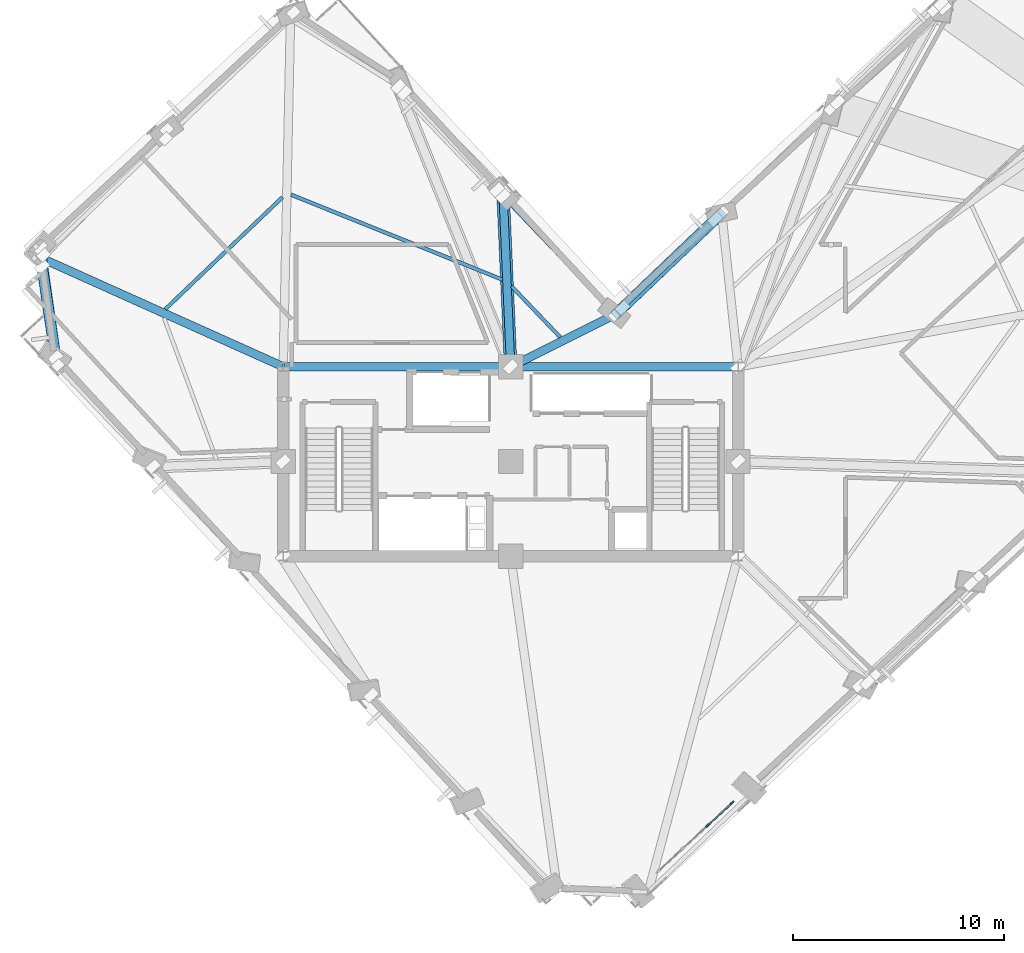
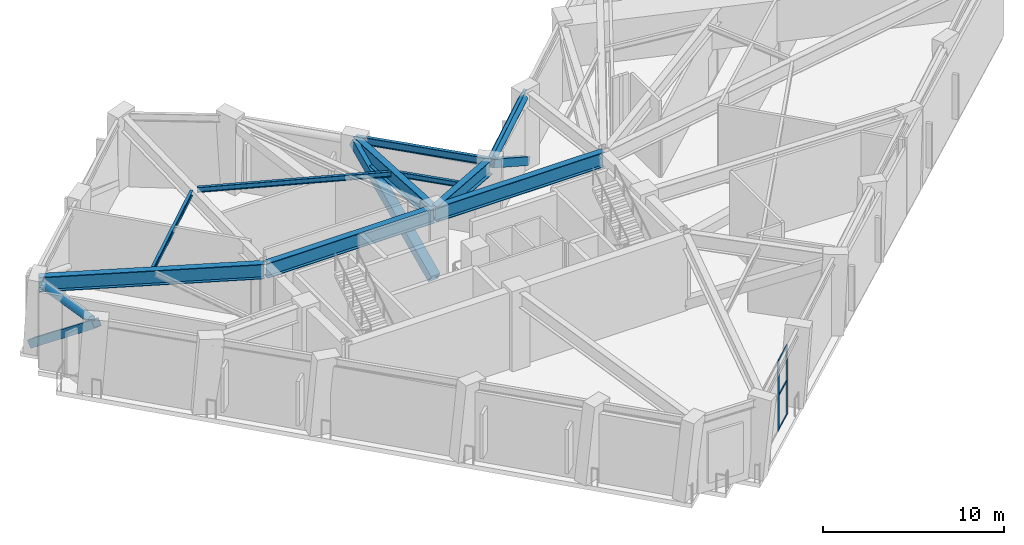
# One storey, part 3 of 15: 10 beams, 10 members, 1 element without a shape of its own.
"""IFC4 building model written with IfcOpenShell, lengths in metres."""

from ifc_helpers import new_model, si_unit, direction, frame, origin, origin_2d, place, context, subcontext, project, spatial, rectangle, hollow_rectangle, hollow_circle, i_section, extrude, material, material_profile, profile_set, type_object, element, aggregate, save


model = new_model("IFC4")

# Units and contexts
model_context = context("Model", 3, precision=1e-05, world=origin(), true_north=direction((0.0, 1.0)))
body_context = subcontext(model_context, "Body", "Model", "MODEL_VIEW")
ifc_project = project(units=[si_unit("LENGTHUNIT", "METRE"), si_unit("AREAUNIT", "SQUARE_METRE"), si_unit("VOLUMEUNIT", "CUBIC_METRE"), si_unit("PLANEANGLEUNIT", "RADIAN"), si_unit("MASSUNIT", "GRAM", prefix="KILO")], contexts=[model_context])

# Site, building, storey
site_placement = place(None, origin())
site = spatial("IfcSite", under=ifc_project, at=site_placement, CompositionType="ELEMENT")
building_placement = place(site_placement, origin())
building = spatial("IfcBuilding", under=site, at=building_placement, Name="Gaonmaruhae Medical Tower", CompositionType="ELEMENT")
storey_placement = place(building_placement, frame((0.0, 0.0, 205.800048828125)))
storey = spatial("IfcBuildingStorey", under=building, at=storey_placement, Name="L49", CompositionType="ELEMENT", Elevation=205.800048828125)

# Beams
ifc_material_1 = material(Name="Steel SM420", Category="steel")
ifc_material_profile_1 = material_profile(ifc_material_1, i_section(OverallWidth=0.39990234375, OverallDepth=1.0, WebThickness=0.02197265625, FlangeThickness=0.035888671875, at=origin_2d()), Name="BH-1000x400x22x36")
ifc_profile_set_1 = profile_set([ifc_material_profile_1], Name="Steel SM420")
beam_type_1 = type_object("IfcBeamType", Name="BG-02 Refuge Floor Primary Girder (BH-1000x400x22x36)", PredefinedType="BEAM", material=ifc_profile_set_1)
for number, where, z_axis, x_axis, name in (
    (1, (14.050048828125, 16.800048828125, 4.679931640625), (1.0, 0.0, 0.0), (0.0, 1.0, 0.0), "L49 Beam BM-L49-CG-N1"),
    (2, (24.85009765625, 16.800048828125, 4.679931640625), (1.0, 0.0, 0.0), (0.0, 1.0, 0.0), "L49 Beam BM-L49-CG-N2"),
):
    element("IfcBeam", number, at=place(storey_placement, frame(where, z_axis=z_axis, x_axis=x_axis)), inside=storey, type_object=beam_type_1, Name=name, PredefinedType="BEAM", context=body_context, shape_type="SweptSolid", body=[
        extrude(i_section(OverallWidth=0.39990234375, OverallDepth=1.0, WebThickness=0.02197265625, FlangeThickness=0.035888671875, at=origin_2d()), origin(), (0.0, 0.0, 1.0), 10.699951171875),
    ])
beam_1_placement = place(storey_placement, frame((24.8447265625, 16.822265625, 4.679931640625), z_axis=(0.894409392871, 0.447249189988, 0.0), x_axis=(-0.447249189988, 0.894409392871, 0.0)))
element("IfcBeam", 3, at=beam_1_placement, inside=storey, type_object=beam_type_1, Name="L49 Radial Primary Girder KN01", PredefinedType="BEAM", context=body_context, shape_type="SweptSolid", body=[
    extrude(i_section(OverallWidth=0.39990234375, OverallDepth=1.0, WebThickness=0.02197265625, FlangeThickness=0.035888671875, at=origin_2d()), origin(), (0.0, 0.0, 1.0), 5.487060546875),
])
beam_2_placement = place(storey_placement, frame((24.7978515625, 16.849853515625, 4.679931640625), z_axis=(-0.04404435374, 0.999029576591, 0.0), x_axis=(-0.999029576591, -0.04404435374, 0.0)))
element("IfcBeam", 4, at=beam_2_placement, inside=storey, type_object=beam_type_1, Name="L49 Radial Primary Girder NE01", PredefinedType="BEAM", context=body_context, shape_type="SweptSolid", body=[
    extrude(i_section(OverallWidth=0.39990234375, OverallDepth=1.0, WebThickness=0.02197265625, FlangeThickness=0.035888671875, at=origin_2d()), origin(), (0.0, 0.0, 1.0), 8.009765625),
])
beam_3_placement = place(storey_placement, frame((13.954345703125, 16.820556640625, 4.679931640625), z_axis=(-0.912268492792, 0.409592720956, 0.0), x_axis=(-0.409592720956, -0.912268492792, 0.0)))
element("IfcBeam", 5, at=beam_3_placement, inside=storey, type_object=beam_type_1, Name="L49 Radial Primary Girder N03", PredefinedType="BEAM", context=body_context, shape_type="SweptSolid", body=[
    extrude(i_section(OverallWidth=0.39990234375, OverallDepth=1.0, WebThickness=0.02197265625, FlangeThickness=0.035888671875, at=origin_2d()), origin(), (0.0, 0.0, 1.0), 12.521484375),
])

# Members
ifc_material_2 = material(Name="Steel HSA650 (650 MPa)", Category="steel")
ifc_material_profile_2 = material_profile(ifc_material_2, hollow_circle(Radius=0.25390625, WallThickness=0.01611328125, at=origin_2d()), Name="CHS-508.0x16.0")
ifc_profile_set_2 = profile_set([ifc_material_profile_2], Name="Steel HSA650 (650 MPa)")
member_type_1 = type_object("IfcMemberType", Name="BT-C1 Belt Truss Perimeter Chord (CHS-508.0x16.0)", PredefinedType="CHORD", material=ifc_profile_set_2)
member_1_placement = place(storey_placement, frame((34.518310546875, 23.81005859375, 4.829833984375), z_axis=(-0.722987143052, -0.690861484656, 0.0), x_axis=(0.690861484656, -0.722987143052, 0.0)))
element("IfcMember", 6, at=member_1_placement, inside=storey, type_object=member_type_1, Name="L49 Belt Truss Top Chord BTC05", PredefinedType="CHORD", context=body_context, shape_type="SweptSolid", body=[
    extrude(hollow_circle(Radius=0.25390625, WallThickness=0.01611328125, at=origin_2d()), origin(), (0.0, 0.0, 1.0), 6.110107421875),
])
member_2_placement = place(storey_placement, frame((2.5478515625, 21.55419921875, 4.829833984375), z_axis=(0.147475561304, -0.98906569995, 0.0), x_axis=(0.98906569995, 0.147475561304, 0.0)))
element("IfcMember", 7, at=member_2_placement, inside=storey, type_object=member_type_1, Name="L49 Belt Truss Top Chord BTC07", PredefinedType="CHORD", context=body_context, shape_type="SweptSolid", body=[
    extrude(hollow_circle(Radius=0.25390625, WallThickness=0.01611328125, at=origin_2d()), origin(), (0.0, 0.0, 1.0), 4.362060546875),
])
ifc_material_profile_3 = material_profile(ifc_material_2, hollow_rectangle(XDim=0.5, YDim=0.5, WallThickness=0.02197265625, at=origin_2d()), Name="RHS-500x500x22")
ifc_profile_set_3 = profile_set([ifc_material_profile_3], Name="Steel HSA650 (650 MPa)")
member_type_2 = type_object("IfcMemberType", Name="BT-D1 Belt Truss Diagonal Heavy (RHS-500x500x22)", PredefinedType="BRACE", material=ifc_profile_set_3)
member_3_placement = place(storey_placement, frame((34.81005859375, 24.080078125, 0.349853515625), z_axis=(-0.607620898751, -0.579565930311, 0.543047121181), x_axis=(0.690204115317, -0.723614731193, 0.0)))
element("IfcMember", 8, at=member_3_placement, inside=storey, type_object=member_type_2, Name="L49 Belt Truss Diagonal BTD05", PredefinedType="BRACE", context=body_context, shape_type="SweptSolid", body=[
    extrude(hollow_rectangle(XDim=0.5, YDim=0.5, WallThickness=0.02197265625, at=origin_2d()), origin(), (0.0, 0.0, 1.0), 8.249755859375),
])
member_4_placement = place(storey_placement, frame((2.443115234375, 22.48583984375, 0.349853515625), z_axis=(0.11150429042, -0.7792866156, 0.616667790601), x_axis=(0.989917879019, 0.141642482323, 0.0)))
element("IfcMember", 9, at=member_4_placement, inside=storey, type_object=member_type_2, Name="L49 Belt Truss Diagonal BTD07", PredefinedType="BRACE", context=body_context, shape_type="SweptSolid", body=[
    extrude(hollow_rectangle(XDim=0.5, YDim=0.5, WallThickness=0.02197265625, at=origin_2d()), origin(), (0.0, 0.0, 1.0), 7.264892578125),
])

# Curtain wall, members
ifc_material_3 = material(Name="Anodised aluminium and Low-E double glazing", Category="aluminium")
curtain_wall_type = type_object("IfcCurtainWallType", Name="CW-S2 Express Sky Lobby Feature Curtain Wall", PredefinedType="NOTDEFINED", material=ifc_material_3)
curtain_wall_placement = place(storey_placement, origin())
curtain_wall = element("IfcCurtainWall", 10, at=curtain_wall_placement, inside=storey, type_object=curtain_wall_type, Name="L49 Curtain Wall CW-L49-S01", PredefinedType="NOTDEFINED")
ifc_material_4 = material(Name="Anodised aluminium 6063-T6", Category="aluminium")
ifc_material_profile_4 = material_profile(ifc_material_4, rectangle(XDim=0.074951171875, YDim=0.219970703125, at=origin_2d()), Name="CWM-75x220")
ifc_profile_set_4 = profile_set([ifc_material_profile_4], Name="Anodised aluminium 6063-T6")
member_type_3 = type_object("IfcMemberType", Name="CWM-1 Heavy Atrium Curtain Wall Mullion (CWM-75x220)", PredefinedType="MULLION", material=ifc_profile_set_4)
member_5_placement = place(storey_placement, frame((35.31689453125, -3.912841796875, 0.0), z_axis=(0.0, 0.0, 1.0), x_axis=(0.678803737119, -0.734319744031, 0.0)))
member_5 = element("IfcMember", 11, at=member_5_placement, type_object=member_type_3, Name="CW-S2 mullion 1", PredefinedType="MULLION", context=body_context, shape_type="SweptSolid", body=[
    extrude(rectangle(XDim=0.074951171875, YDim=0.219970703125, at=origin_2d()), origin(), (0.0, 0.0, 1.0), 4.6650390625),
])
member_6_placement = place(storey_placement, frame((34.156494140625, -4.985595703125, 0.0), z_axis=(0.0, 0.0, 1.0), x_axis=(0.678803737119, -0.734319744031, 0.0)))
member_6 = element("IfcMember", 12, at=member_6_placement, type_object=member_type_3, Name="CW-S2 mullion 2", PredefinedType="MULLION", context=body_context, shape_type="SweptSolid", body=[
    extrude(rectangle(XDim=0.074951171875, YDim=0.219970703125, at=origin_2d()), origin(), (0.0, 0.0, 1.0), 4.6650390625),
])
ifc_material_profile_5 = material_profile(ifc_material_4, rectangle(XDim=0.06494140625, YDim=0.139892578125, at=origin_2d()), Name="CWT-65x140")
ifc_profile_set_5 = profile_set([ifc_material_profile_5], Name="Anodised aluminium 6063-T6")
member_type_4 = type_object("IfcMemberType", Name="CWT-2 Tower Feature Curtain Wall Transom (CWT-65x140)", PredefinedType="USERDEFINED", material=ifc_profile_set_5)
member_7_placement = place(storey_placement, frame((35.289306640625, -3.9384765625, 0.032470703125), z_axis=(-0.734380383573, -0.678738132289, 0.0), x_axis=(0.678738132289, -0.734380383573, 0.0)))
member_7 = element("IfcMember", 13, at=member_7_placement, type_object=member_type_4, Name="CW-S2 transom 1.1", ObjectType="TRANSOM", PredefinedType="USERDEFINED", context=body_context, shape_type="SweptSolid", body=[
    extrude(rectangle(XDim=0.06494140625, YDim=0.139892578125, at=origin_2d()), origin(), (0.0, 0.0, 1.0), 1.5048828125),
])
member_8_placement = place(storey_placement, frame((35.289306640625, -3.9384765625, 2.33251953125), z_axis=(-0.734380383573, -0.678738132289, 0.0), x_axis=(0.678738132289, -0.734380383573, 0.0)))
member_8 = element("IfcMember", 14, at=member_8_placement, type_object=member_type_4, Name="CW-S2 transom 1.2", ObjectType="TRANSOM", PredefinedType="USERDEFINED", context=body_context, shape_type="SweptSolid", body=[
    extrude(rectangle(XDim=0.06494140625, YDim=0.139892578125, at=origin_2d()), origin(), (0.0, 0.0, 1.0), 1.5048828125),
])
member_9_placement = place(storey_placement, frame((35.289306640625, -3.9384765625, 4.632568359375), z_axis=(-0.734380383573, -0.678738132289, 0.0), x_axis=(0.678738132289, -0.734380383573, 0.0)))
member_9 = element("IfcMember", 15, at=member_9_placement, type_object=member_type_4, Name="CW-S2 transom 1.3", ObjectType="TRANSOM", PredefinedType="USERDEFINED", context=body_context, shape_type="SweptSolid", body=[
    extrude(rectangle(XDim=0.06494140625, YDim=0.139892578125, at=origin_2d()), origin(), (0.0, 0.0, 1.0), 1.5048828125),
])
aggregate(curtain_wall, [member_5, member_6, member_7, member_8, member_9])

# Beams
ifc_material_5 = material(Name="Steel SM355", Category="steel")
ifc_material_profile_6 = material_profile(ifc_material_5, i_section(OverallWidth=0.175048828125, OverallDepth=0.35009765625, WebThickness=0.007080078125, FlangeThickness=0.010986328125, FilletRadius=0.012939453125, at=origin_2d()), Name="H-350x175x7x11")
ifc_profile_set_6 = profile_set([ifc_material_profile_6], Name="Steel SM355")
beam_type_2 = type_object("IfcBeamType", Name="FJ-02 Upper Zone Ward Floor Joist (H-350x175x7x11)", PredefinedType="JOIST", material=ifc_profile_set_6)
beam_4_placement = place(storey_placement, frame((27.14990234375, 18.205078125, 5.0048828125), z_axis=(-0.690891632935, 0.722958333198, 0.0), x_axis=(-0.722958333198, -0.690891632935, 0.0)))
element("IfcBeam", 16, at=beam_4_placement, inside=storey, type_object=beam_type_2, Name="L49 Secondary Floor Joist FJ08", PredefinedType="JOIST", context=body_context, shape_type="SweptSolid", body=[
    extrude(i_section(OverallWidth=0.175048828125, OverallDepth=0.35009765625, WebThickness=0.007080078125, FlangeThickness=0.010986328125, FilletRadius=0.012939453125, at=origin_2d()), origin(), (0.0, 0.0, 1.0), 3.349853515625),
])
beam_5_placement = place(storey_placement, frame((24.412109375, 20.93505859375, 5.0048828125), z_axis=(-0.927894950179, 0.372841737783, 0.0), x_axis=(-0.372841737783, -0.927894950179, 0.0)))
element("IfcBeam", 17, at=beam_5_placement, inside=storey, type_object=beam_type_2, Name="L49 Secondary Floor Joist FJ09", PredefinedType="JOIST", context=body_context, shape_type="SweptSolid", body=[
    extrude(i_section(OverallWidth=0.175048828125, OverallDepth=0.35009765625, WebThickness=0.007080078125, FlangeThickness=0.010986328125, FilletRadius=0.012939453125, at=origin_2d()), origin(), (0.0, 0.0, 1.0), 10.81689453125),
])
beam_6_placement = place(storey_placement, frame((13.962890625, 24.850830078125, 5.0048828125), z_axis=(-0.722973423562, -0.690875841829, 0.0), x_axis=(0.690875841829, -0.722973423562, 0.0)))
element("IfcBeam", 18, at=beam_6_placement, inside=storey, type_object=beam_type_2, Name="L49 Secondary Floor Joist FJ10", PredefinedType="JOIST", context=body_context, shape_type="SweptSolid", body=[
    extrude(i_section(OverallWidth=0.175048828125, OverallDepth=0.35009765625, WebThickness=0.007080078125, FlangeThickness=0.010986328125, FilletRadius=0.012939453125, at=origin_2d()), origin(), (0.0, 0.0, 1.0), 7.68994140625),
])

# Member
ifc_material_profile_7 = material_profile(ifc_material_2, hollow_rectangle(XDim=0.60009765625, YDim=0.60009765625, WallThickness=0.028076171875, at=origin_2d()), Name="RHS-600x600x28")
ifc_profile_set_7 = profile_set([ifc_material_profile_7], Name="Steel HSA650 (650 MPa)")
member_type_5 = type_object("IfcMemberType", Name="OT-D2 Outrigger Truss Diagonal Upper (RHS-600x600x28)", PredefinedType="BRACE", material=ifc_profile_set_7)
member_10_placement = place(storey_placement, frame((24.800048828125, 16.800048828125, 0.349853515625), z_axis=(-0.038552889982, 0.874462816929, 0.483558121102), x_axis=(-0.999029560101, -0.044044727773, 0.0)))
element("IfcMember", 19, at=member_10_placement, inside=storey, type_object=member_type_5, Name="L49 Outrigger Truss Diagonal OTD05", PredefinedType="BRACE", context=body_context, shape_type="SweptSolid", body=[
    extrude(hollow_rectangle(XDim=0.60009765625, YDim=0.60009765625, WallThickness=0.028076171875, at=origin_2d()), origin(), (0.0, 0.0, 1.0), 9.2646484375),
])

# Beams
ifc_material_profile_8 = material_profile(ifc_material_5, i_section(OverallWidth=0.199951171875, OverallDepth=0.5, WebThickness=0.010009765625, FlangeThickness=0.01611328125, FilletRadius=0.012939453125, at=origin_2d()), Name="H-500x200x10x16")
ifc_profile_set_8 = profile_set([ifc_material_profile_8], Name="Steel SM355")
beam_type_3 = type_object("IfcBeamType", Name="SP-02 Upper Perimeter Spandrel Beam (H-500x200x10x16)", PredefinedType="SPANDREL", material=ifc_profile_set_8)
beam_7_placement = place(storey_placement, frame((34.79296875, 24.07275390625, 4.929931640625), z_axis=(-0.722969784939, -0.690879649479, 0.0), x_axis=(0.690879649479, -0.722969784939, 0.0)))
element("IfcBeam", 20, at=beam_7_placement, inside=storey, type_object=beam_type_3, Name="L49 Perimeter Spandrel Beam EN03-KN01", PredefinedType="SPANDREL", context=body_context, shape_type="SweptSolid", body=[
    extrude(i_section(OverallWidth=0.199951171875, OverallDepth=0.5, WebThickness=0.010009765625, FlangeThickness=0.01611328125, FilletRadius=0.012939453125, at=origin_2d()), origin(), (0.0, 0.0, 1.0), 6.869873046875),
])
beam_8_placement = place(storey_placement, frame((29.76953125, 19.32763671875, 4.929931640625), z_axis=(-0.69088217403, 0.722967372437, 0.0), x_axis=(-0.722967372437, -0.69088217403, 0.0)))
element("IfcBeam", 21, at=beam_8_placement, inside=storey, type_object=beam_type_3, Name="L49 Perimeter Spandrel Beam KN01-NE01", PredefinedType="SPANDREL", context=body_context, shape_type="SweptSolid", body=[
    extrude(i_section(OverallWidth=0.199951171875, OverallDepth=0.5, WebThickness=0.010009765625, FlangeThickness=0.01611328125, FilletRadius=0.012939453125, at=origin_2d()), origin(), (0.0, 0.0, 1.0), 7.669921875),
])

save(model, "model.ifc")
